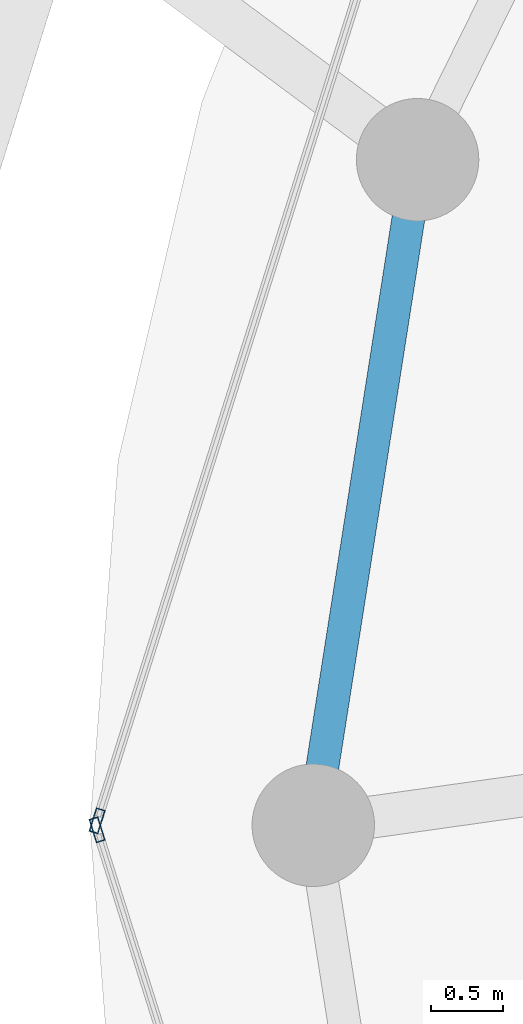
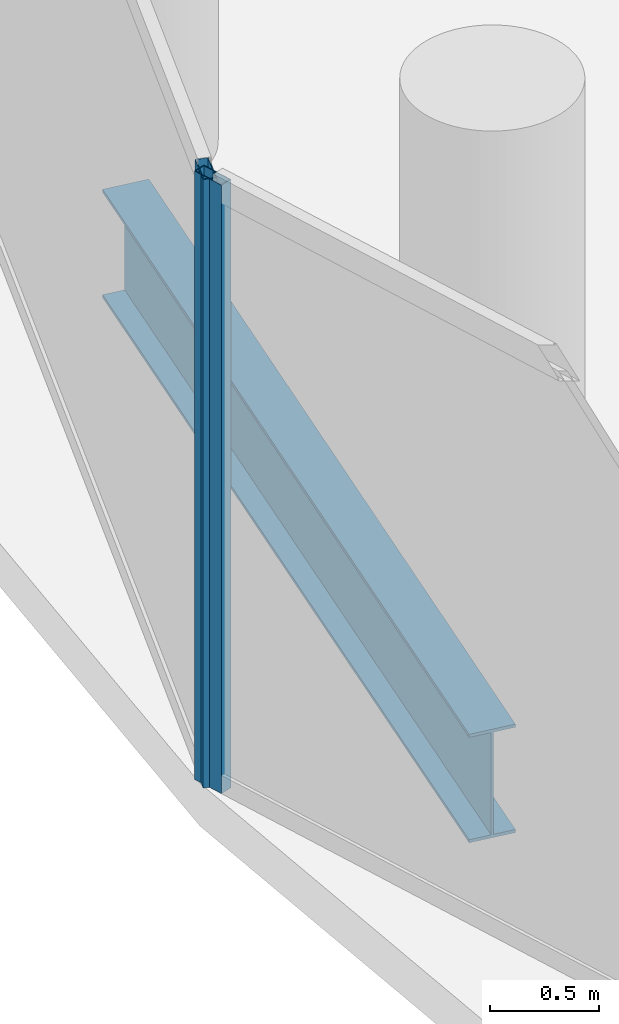
# One storey, part 7 of 27: 2 members, 1 beam, 2 elements without a shape of their own.
"""IFC4 building model written with IfcOpenShell, lengths in metres."""

from ifc_helpers import new_model, si_unit, direction, frame, origin, origin_2d, place, context, subcontext, project, spatial, hollow_rectangle, i_section, extrude, material, layer, layer_set, material_profile, profile_set, type_object, element, aggregate, save


model = new_model("IFC4")

# Units and contexts
model_context = context("Model", 3, precision=1e-05, world=origin(), true_north=direction((0.0, 1.0)))
body_context = subcontext(model_context, "Body", "Model", "MODEL_VIEW")
ifc_project = project(units=[si_unit("LENGTHUNIT", "METRE"), si_unit("AREAUNIT", "SQUARE_METRE"), si_unit("VOLUMEUNIT", "CUBIC_METRE"), si_unit("PLANEANGLEUNIT", "RADIAN"), si_unit("MASSUNIT", "GRAM", prefix="KILO")], contexts=[model_context])

# Site, building, storey
site_placement = place(None, origin())
site = spatial("IfcSite", under=ifc_project, at=site_placement, CompositionType="ELEMENT")
building_placement = place(site_placement, origin())
building = spatial("IfcBuilding", under=site, at=building_placement, Name="Nuhasar Tower", CompositionType="ELEMENT")
storey_placement = place(building_placement, frame((0.0, 0.0, 211.800048828125)))
storey = spatial("IfcBuildingStorey", under=building, at=storey_placement, Name="L51", CompositionType="ELEMENT", Elevation=211.800048828125)

# Beam
ifc_material_1 = material(Name="Steel S355", Category="steel")
ifc_material_profile_1 = material_profile(ifc_material_1, i_section(OverallWidth=0.22802734375, OverallDepth=0.60791015625, WebThickness=0.01123046875, FlangeThickness=0.017333984375, at=origin_2d()), Name="W24X76")
ifc_profile_set_1 = profile_set([ifc_material_profile_1], Name="Steel S355")
beam_type = type_object("IfcBeamType", Name="BM-RING-W24X76", PredefinedType="SPANDREL", material=ifc_profile_set_1)
beam_placement = place(storey_placement, frame((18.47412109375, 31.419921875, -0.5439453125), z_axis=(-0.154849872935, -0.987938012657, 0.0), x_axis=(0.987938012657, -0.154849872935, 0.0)))
element("IfcBeam", 1, at=beam_placement, inside=storey, type_object=beam_type, Name="L51 Perimeter Ring Spandrel 12", PredefinedType="SPANDREL", context=body_context, shape_type="SweptSolid", body=[
    extrude(i_section(OverallWidth=0.22802734375, OverallDepth=0.60791015625, WebThickness=0.01123046875, FlangeThickness=0.017333984375, at=origin_2d()), origin(), (0.0, 0.0, 1.0), 4.67626953125),
])

# Curtain wall, member
ifc_material_2 = material(Name="Aluminium 6063-T6", Category="aluminium")
ifc_layer = layer(ifc_material_2, 0.18994140625)
ifc_layer_set = layer_set([ifc_layer], Name="Aluminium 6063-T6")
curtain_wall_type = type_object("IfcCurtainWallType", Name="CW-Z3-RES", PredefinedType="NOTDEFINED", material=ifc_layer_set)
curtain_wall_1_placement = place(storey_placement, origin())
curtain_wall_1 = element("IfcCurtainWall", 2, at=curtain_wall_1_placement, inside=storey, type_object=curtain_wall_type, Name="L51 Unitised Curtain Wall 06", PredefinedType="NOTDEFINED")
ifc_material_profile_2 = material_profile(ifc_material_2, hollow_rectangle(XDim=0.06494140625, YDim=0.169921875, WallThickness=0.0048828125, at=origin_2d()), Name="CWM-4")
ifc_profile_set_2 = profile_set([ifc_material_profile_2], Name="Aluminium 6063-T6")
member_type = type_object("IfcMemberType", Name="CW-MUL-S4", PredefinedType="MULLION", material=ifc_profile_set_2)
member_1_placement = place(storey_placement, frame((16.249755859375, 26.8310546875, 0.0), z_axis=(0.0, 0.0, 1.0), x_axis=(0.95380429279, -0.30042864553, 0.0)))
member_1 = element("IfcMember", 3, at=member_1_placement, type_object=member_type, Name="CW-Z3 mullion 2", PredefinedType="MULLION", context=body_context, shape_type="SweptSolid", body=[
    extrude(hollow_rectangle(XDim=0.06494140625, YDim=0.169921875, WallThickness=0.0048828125, at=origin_2d()), origin(), (0.0, 0.0, 1.0), 3.409912109375),
])
aggregate(curtain_wall_1, [member_1])

curtain_wall_2_placement = place(storey_placement, origin())
curtain_wall_2 = element("IfcCurtainWall", 4, at=curtain_wall_2_placement, inside=storey, type_object=curtain_wall_type, Name="L51 Unitised Curtain Wall 07", PredefinedType="NOTDEFINED")
member_2_placement = place(storey_placement, frame((16.249755859375, 26.76904296875, 0.0), z_axis=(0.0, 0.0, 1.0), x_axis=(0.95380429279, 0.30042864553, 0.0)))
member_2 = element("IfcMember", 5, at=member_2_placement, type_object=member_type, Name="CW-Z3 mullion 1", PredefinedType="MULLION", context=body_context, shape_type="SweptSolid", body=[
    extrude(hollow_rectangle(XDim=0.06494140625, YDim=0.169921875, WallThickness=0.0048828125, at=origin_2d()), origin(), (0.0, 0.0, 1.0), 3.409912109375),
])
aggregate(curtain_wall_2, [member_2])

save(model, "model.ifc")
